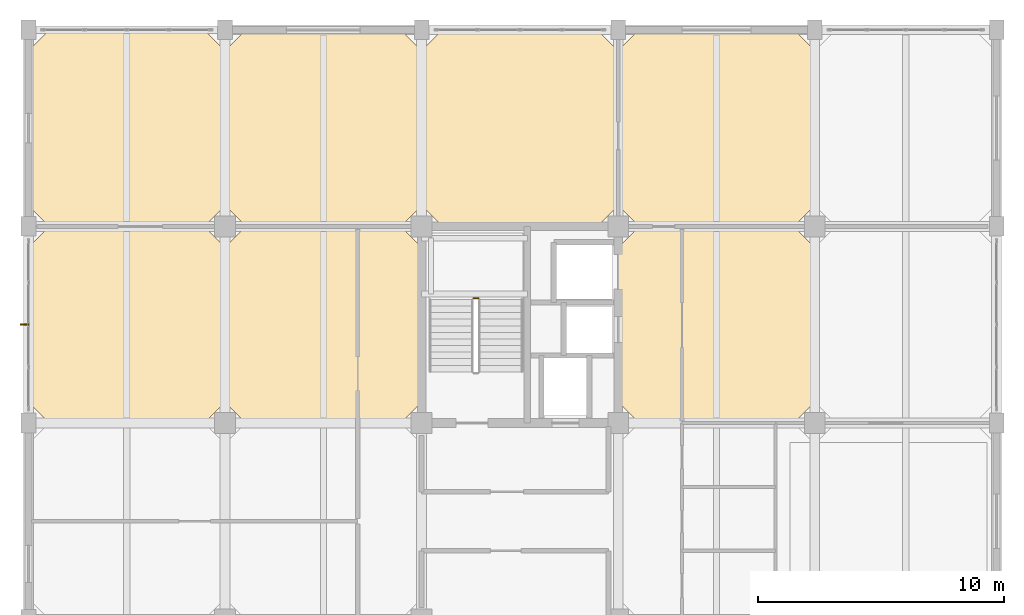
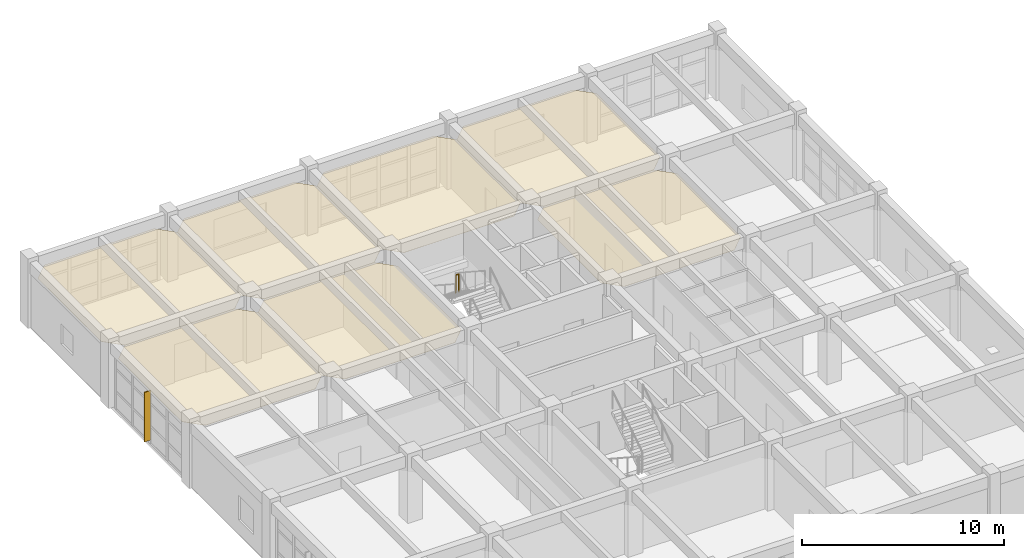
# One storey, part 29 of 30: 7 coverings, 1 railing, 1 shading device.
"""IFC4 building model written with IfcOpenShell, lengths in metres."""

import ifcopenshell
import ifcopenshell.guid

model = None  # the IFC model being written
_history = None  # IfcOwnerHistory: only IFC2X3 demands one
_inside = {}  # id of a spatial element -> (the spatial element, [elements in it])
_under = {}  # id of a project, library or spatial element -> (it, [spatial elements below it])
_declared = {}  # id of a project -> (the project, [libraries it declares])
_typed = {}  # id of a type object -> (the type object, [elements of that type])
_made_of = {}  # id of a material, layer set ... -> (it, [elements and type objects made of it])


def new_model(schema):
    """Start an empty IFC model of exactly this schema.

    Asked for "IFC4X3", IfcOpenShell would pick the latest addendum, in which some entities
    have other attributes; the version numbers below select the first issue.
    IFC2X3 requires an IfcOwnerHistory on every rooted entity: one is made here for all.
    """
    global model, _history
    if schema == "IFC4X3":
        model = ifcopenshell.file(schema_version=(4, 3, 0, 0))
    else:
        model = ifcopenshell.file(schema=schema)
    _inside.clear()
    _under.clear()
    _declared.clear()
    _typed.clear()
    _made_of.clear()
    _history = None
    if model.schema == "IFC2X3":
        org = make("IfcOrganization", Name="unknown")
        user = make(
            "IfcPersonAndOrganization",
            ThePerson=make("IfcPerson", FamilyName="unknown"),
            TheOrganization=org,
        )
        app = make(
            "IfcApplication",
            ApplicationDeveloper=org,
            Version="unknown",
            ApplicationFullName="unknown",
            ApplicationIdentifier="unknown",
        )
        _history = make(
            "IfcOwnerHistory",
            OwningUser=user,
            OwningApplication=app,
            ChangeAction="ADDED",
            CreationDate=0,
        )
    return model


def make(cls, **values):
    """One entity of the class cls with the attributes given. An attribute that is None is left unset."""
    return model.create_entity(
        cls, **{name: value for name, value in values.items() if value is not None}
    )


def rooted(cls, **values):
    """An entity with a GlobalId (a new one), such as an element, a storey or a relation."""
    return make(cls, GlobalId=ifcopenshell.guid.new(), OwnerHistory=_history, **values)


def si_unit(unit_type, name, prefix=None):
    """IfcSIUnit, for example si_unit("LENGTHUNIT", "METRE", prefix="MILLI")."""
    return make("IfcSIUnit", UnitType=unit_type, Prefix=prefix, Name=name)


def assignment(units):
    """IfcUnitAssignment: the units of a project."""
    return None if units is None else make("IfcUnitAssignment", Units=units)


def point(xyz):
    """IfcCartesianPoint."""
    return None if xyz is None else make("IfcCartesianPoint", Coordinates=xyz)


def direction(xyz):
    """IfcDirection."""
    return None if xyz is None else make("IfcDirection", DirectionRatios=xyz)


def frame(location, z_axis=None, x_axis=None):
    """IfcAxis2Placement3D, a coordinate frame: its origin and axes. An axis left out is left unset."""
    return make(
        "IfcAxis2Placement3D",
        Location=point(location),
        Axis=direction(z_axis),
        RefDirection=direction(x_axis),
    )


def frame_2d(location, x_axis=None):
    """IfcAxis2Placement2D, a coordinate frame in the plane: its origin and x axis."""
    return make(
        "IfcAxis2Placement2D", Location=point(location), RefDirection=direction(x_axis)
    )


def origin():
    """The frame at (0, 0, 0) with its axes left unset."""
    return frame((0.0, 0.0, 0.0))


def origin_2d():
    """The frame at (0, 0) in the plane with its x axis left unset."""
    return frame_2d((0.0, 0.0))


def place(relative_to, where):
    """IfcLocalPlacement: puts the frame where relative to a parent placement (None: the world)."""
    return make(
        "IfcLocalPlacement", PlacementRelTo=relative_to, RelativePlacement=where
    )


def context(
    kind, dimensions, precision=None, world=None, true_north=None, identifier=None
):
    """IfcGeometricRepresentationContext, for example the 3D "Model" context."""
    return make(
        "IfcGeometricRepresentationContext",
        ContextIdentifier=identifier,
        ContextType=kind,
        CoordinateSpaceDimension=dimensions,
        Precision=precision,
        WorldCoordinateSystem=world,
        TrueNorth=true_north,
    )


def subcontext(parent, identifier, kind, view, scale=None):
    """IfcGeometricRepresentationSubContext, for example "Body" below "Model"."""
    return make(
        "IfcGeometricRepresentationSubContext",
        ContextIdentifier=identifier,
        ContextType=kind,
        ParentContext=parent,
        TargetScale=scale,
        TargetView=view,
    )


def project(units=None, contexts=None):
    """IfcProject with its units and contexts."""
    return rooted(
        "IfcProject",
        Name="project",
        RepresentationContexts=contexts,
        UnitsInContext=assignment(units),
    )


def spatial(cls, under=None, at=None, **own):
    """A site, building, storey or space (cls), placed at a placement, below another one or the project."""
    s = rooted(cls, ObjectPlacement=at, **own)
    if under is not None:
        _under.setdefault(under.id(), (under, []))[1].append(s)
    return s


def polyline(points):
    """IfcPolyline through the points."""
    return make("IfcPolyline", Points=[point(p) for p in points])


def profile(cls, at=None, kind="AREA", **sizes):
    """A parametric profile (cls). Its sizes go by their IFC names, for example OverallWidth=200.0."""
    return make(cls, ProfileType=kind, Position=at, **sizes)


def rectangle(**sizes):
    """IfcRectangleProfileDef."""
    return profile("IfcRectangleProfileDef", **sizes)


def circle(**sizes):
    """IfcCircleProfileDef."""
    return profile("IfcCircleProfileDef", **sizes)


def outline(outer, holes=None, kind="AREA"):
    """IfcArbitraryClosedProfileDef: a profile drawn as a closed curve; with holes, ...WithVoids."""
    if holes is None:
        return make("IfcArbitraryClosedProfileDef", ProfileType=kind, OuterCurve=outer)
    return make(
        "IfcArbitraryProfileDefWithVoids",
        ProfileType=kind,
        OuterCurve=outer,
        InnerCurves=holes,
    )


def extrude(swept, where, along, depth):
    """IfcExtrudedAreaSolid: the profile swept, set in the frame where, extruded along a direction by depth."""
    return make(
        "IfcExtrudedAreaSolid",
        SweptArea=swept,
        Position=where,
        ExtrudedDirection=direction(along),
        Depth=depth,
    )


def shape(context_of_items, identifier, shape_type, items):
    """IfcShapeRepresentation: the items that make up one representation, for example the "Body"."""
    return make(
        "IfcShapeRepresentation",
        ContextOfItems=context_of_items,
        RepresentationIdentifier=identifier,
        RepresentationType=shape_type,
        Items=items,
    )


def material(Name=None, Category=None):
    """IfcMaterial."""
    return make("IfcMaterial", Name=Name, Category=Category)


def layer(
    of_material, thickness, ventilated=None, Name=None, Category=None, Priority=None
):
    """IfcMaterialLayer: one layer of a wall or slab, of a material (None: an air gap)."""
    return make(
        "IfcMaterialLayer",
        Material=of_material,
        LayerThickness=thickness,
        IsVentilated=ventilated,
        Name=Name,
        Category=Category,
        Priority=Priority,
    )


def layer_set(layers, Name=None):
    """IfcMaterialLayerSet."""
    return make("IfcMaterialLayerSet", MaterialLayers=layers, LayerSetName=Name)


def made_of(thing, what):
    """Note that an element or type object is made of a material, layer set ...; save() writes the relation."""
    if what is not None:
        _made_of.setdefault(what.id(), (what, []))[1].append(thing)
    return thing


def type_object(cls, material=None, **own):
    """A type object (cls), such as IfcWallType, which elements share."""
    return made_of(rooted(cls, **own), material)


def element(
    cls,
    number,
    at=None,
    inside=None,
    cuts=None,
    type_object=None,
    material=None,
    context=None,
    identifier="Body",
    shape_type=None,
    held_by="IfcProductDefinitionShape",
    body=None,
    shapes=None,
    **own,
):
    """One element of the class cls, such as IfcWall. Its Tag is "e" and its number.

    at: its placement. inside: the storey or other place that contains it. cuts: it is an
    opening in that element (IfcRelVoidsElement). A single representation is given by context,
    identifier, shape_type and body (its items); several are given by shapes. held_by: the class
    of the entity that holds the representations. save() writes the other relations.
    """
    e = rooted(cls, Tag="e%d" % number, ObjectPlacement=at, **own)
    if body is not None:
        shapes = [shape(context, identifier, shape_type, body)]
    if shapes is not None:
        e.Representation = make(held_by, Representations=shapes)
    if inside is not None:
        _inside.setdefault(inside.id(), (inside, []))[1].append(e)
    if cuts is not None:
        rooted(
            "IfcRelVoidsElement", RelatingBuildingElement=cuts, RelatedOpeningElement=e
        )
    if type_object is not None:
        _typed.setdefault(type_object.id(), (type_object, []))[1].append(e)
    return made_of(e, material)


def aggregate(whole, parts):
    """IfcRelAggregates: a whole, such as a stair, and the parts it consists of."""
    return rooted("IfcRelAggregates", RelatingObject=whole, RelatedObjects=parts)


def save(model, path):
    """Write the relations noted so far, then the file.

    IfcRelAggregates (storeys below a building ...), IfcRelContainedInSpatialStructure (elements
    in a storey), IfcRelDefinesByType, IfcRelAssociatesMaterial and IfcRelDeclares: one each for
    every whole, place, type object, material and project.
    """
    for whole, parts in _under.values():
        aggregate(whole, parts)
    for where, things in _inside.values():
        rooted(
            "IfcRelContainedInSpatialStructure",
            RelatedElements=things,
            RelatingStructure=where,
        )
    for kind, things in _typed.values():
        rooted("IfcRelDefinesByType", RelatedObjects=things, RelatingType=kind)
    for what, things in _made_of.values():
        rooted("IfcRelAssociatesMaterial", RelatedObjects=things, RelatingMaterial=what)
    for by, libraries in _declared.values():
        rooted("IfcRelDeclares", RelatingContext=by, RelatedDefinitions=libraries)
    model.write(path)


model = new_model("IFC4")

# Units and contexts
model_context = context("Model", 3, precision=1e-05, world=origin(), true_north=direction((0.0, 1.0)))
body_context = subcontext(model_context, "Body", "Model", "MODEL_VIEW")
ifc_project = project(units=[si_unit("LENGTHUNIT", "METRE"), si_unit("AREAUNIT", "SQUARE_METRE"), si_unit("VOLUMEUNIT", "CUBIC_METRE"), si_unit("PLANEANGLEUNIT", "RADIAN"), si_unit("MASSUNIT", "GRAM", prefix="KILO")], contexts=[model_context])

# Site, building, storey
site_placement = place(None, origin())
site = spatial("IfcSite", under=ifc_project, at=site_placement, CompositionType="ELEMENT")
building_placement = place(site_placement, origin())
building = spatial("IfcBuilding", under=site, at=building_placement, Name="Canggui Botanical Conservatory", CompositionType="ELEMENT")
storey_placement = place(building_placement, frame((0.0, 0.0, 27.60009765625)))
storey = spatial("IfcBuildingStorey", under=building, at=storey_placement, Name="L07", CompositionType="ELEMENT", Elevation=27.60009765625)

# Coverings
ifc_material_1 = material(Name="Mineral Fibre Acoustic Board")
ifc_layer_1 = layer(ifc_material_1, 0.014892578125, Name="Mineral Fibre Acoustic Board")
ifc_layer_set_1 = layer_set([ifc_layer_1], Name="Mineral Fibre Acoustic Board")
covering_type_1 = type_object("IfcCoveringType", Name="COV-CEIL-15", PredefinedType="CEILING", material=ifc_layer_set_1)
covering_1_placement = place(storey_placement, frame((0.0, 0.0, 3.19482421875)))
element("IfcCovering", 1, at=covering_1_placement, inside=storey, type_object=covering_type_1, Name="Suspended Acoustic Ceiling L07-138-66", PredefinedType="CEILING", context=body_context, shape_type="SweptSolid", body=[
    extrude(outline(polyline([(138.85009765625, 66.0), (145.14990234375, 66.0), (146.0, 66.85009765625), (146.0, 73.14990234375), (145.14990234375, 74.0), (138.85009765625, 74.0), (138.0, 73.14990234375), (138.0, 66.85009765625), (138.85009765625, 66.0)])), origin(), (0.0, 0.0, 1.0), 0.01513671875),
])
covering_2_placement = place(storey_placement, frame((0.0, 0.0, 3.19482421875)))
element("IfcCovering", 2, at=covering_2_placement, inside=storey, type_object=covering_type_1, Name="Suspended Acoustic Ceiling L07-146-58", PredefinedType="CEILING", context=body_context, shape_type="SweptSolid", body=[
    extrude(outline(polyline([(146.85009765625, 58.0), (153.14990234375, 58.0), (154.0, 58.85009765625), (154.0, 65.14990234375), (153.14990234375, 66.0), (146.85009765625, 66.0), (146.0, 65.14990234375), (146.0, 58.85009765625), (146.85009765625, 58.0)])), origin(), (0.0, 0.0, 1.0), 0.01513671875),
])
covering_3_placement = place(storey_placement, frame((0.0, 0.0, 3.19482421875)))
element("IfcCovering", 3, at=covering_3_placement, inside=storey, type_object=covering_type_1, Name="Suspended Acoustic Ceiling L07-154-66", PredefinedType="CEILING", context=body_context, shape_type="SweptSolid", body=[
    extrude(outline(polyline([(154.85009765625, 66.0), (161.14990234375, 66.0), (162.0, 66.85009765625), (162.0, 73.14990234375), (161.14990234375, 74.0), (154.85009765625, 74.0), (154.0, 73.14990234375), (154.0, 66.85009765625), (154.85009765625, 66.0)])), origin(), (0.0, 0.0, 1.0), 0.01513671875),
])
covering_4_placement = place(storey_placement, frame((0.0, 0.0, 3.19482421875)))
element("IfcCovering", 4, at=covering_4_placement, inside=storey, type_object=covering_type_1, Name="Suspended Acoustic Ceiling L07-162-58", PredefinedType="CEILING", context=body_context, shape_type="SweptSolid", body=[
    extrude(outline(polyline([(162.85009765625, 58.0), (169.14990234375, 58.0), (170.0, 58.85009765625), (170.0, 65.14990234375), (169.14990234375, 66.0), (162.85009765625, 66.0), (162.0, 65.14990234375), (162.0, 58.85009765625), (162.85009765625, 58.0)])), origin(), (0.0, 0.0, 1.0), 0.01513671875),
])
ifc_material_2 = material(Name="Perforated Gypsum Acoustic Panel")
ifc_layer_2 = layer(ifc_material_2, 0.02001953125, Name="Perforated Gypsum Acoustic Panel")
ifc_layer_set_2 = layer_set([ifc_layer_2], Name="Perforated Gypsum Acoustic Panel")
covering_type_2 = type_object("IfcCoveringType", Name="COV-CEIL-20", PredefinedType="CEILING", material=ifc_layer_set_2)
covering_5_placement = place(storey_placement, frame((0.0, 0.0, 3.18994140625)))
element("IfcCovering", 5, at=covering_5_placement, inside=storey, type_object=covering_type_2, Name="Suspended Acoustic Ceiling L07-138-58", PredefinedType="CEILING", context=body_context, shape_type="SweptSolid", body=[
    extrude(outline(polyline([(138.85009765625, 58.0), (145.14990234375, 58.0), (146.0, 58.85009765625), (146.0, 65.14990234375), (145.14990234375, 66.0), (138.85009765625, 66.0), (138.0, 65.14990234375), (138.0, 58.85009765625), (138.85009765625, 58.0)])), origin(), (0.0, 0.0, 1.0), 0.02001953125),
])
covering_6_placement = place(storey_placement, frame((0.0, 0.0, 3.18994140625)))
element("IfcCovering", 6, at=covering_6_placement, inside=storey, type_object=covering_type_2, Name="Suspended Acoustic Ceiling L07-146-66", PredefinedType="CEILING", context=body_context, shape_type="SweptSolid", body=[
    extrude(outline(polyline([(146.85009765625, 66.0), (153.14990234375, 66.0), (154.0, 66.85009765625), (154.0, 73.14990234375), (153.14990234375, 74.0), (146.85009765625, 74.0), (146.0, 73.14990234375), (146.0, 66.85009765625), (146.85009765625, 66.0)])), origin(), (0.0, 0.0, 1.0), 0.02001953125),
])
covering_7_placement = place(storey_placement, frame((0.0, 0.0, 3.18994140625)))
element("IfcCovering", 7, at=covering_7_placement, inside=storey, type_object=covering_type_2, Name="Suspended Acoustic Ceiling L07-162-66", PredefinedType="CEILING", context=body_context, shape_type="SweptSolid", body=[
    extrude(outline(polyline([(162.85009765625, 66.0), (169.14990234375, 66.0), (170.0, 66.85009765625), (170.0, 73.14990234375), (169.14990234375, 74.0), (162.85009765625, 74.0), (162.0, 73.14990234375), (162.0, 66.85009765625), (162.85009765625, 66.0)])), origin(), (0.0, 0.0, 1.0), 0.02001953125),
])

# Railing
ifc_material_3 = material(Name="Stainless Steel 304", Category="steel")
railing_type = type_object("IfcRailingType", Name="RAIL-GUARD-1100", PredefinedType="BALUSTRADE", material=ifc_material_3)
railing_placement = place(storey_placement, frame((156.300048828125, 63.077880859375, 2.099853515625)))
element("IfcRailing", 8, at=railing_placement, inside=storey, type_object=railing_type, Name="L07 ST-T2 stair guard 2", PredefinedType="BALUSTRADE", context=body_context, shape_type="SweptSolid", body=[
    extrude(circle(Radius=0.02392578125, at=origin_2d()), frame((0.0, 0.0, 1.076171875), z_axis=(-1.0, 0.0, 0.0), x_axis=(0.0, -1.0, 0.0)), (0.0, 0.0, 1.0), 0.179931640625),
    extrude(circle(Radius=0.02099609375, at=origin_2d()), origin(), (0.0, 0.0, 1.0), 1.052001953125),
    extrude(circle(Radius=0.02099609375, at=origin_2d()), frame((-0.179931640625, 0.0, 0.0)), (0.0, 0.0, 1.0), 1.052001953125),
])

# Shading device
ifc_material_4 = material(Name="Anodised Aluminium", Category="aluminium")
shading_device_type = type_object("IfcShadingDeviceType", Name="SHD-FIN02", PredefinedType="AWNING", material=ifc_material_4)
shading_device_placement = place(storey_placement, frame((137.8349609375, 62.0, 0.199951171875), z_axis=(0.0, 0.0, 1.0), x_axis=(0.0, 1.0, 0.0)))
element("IfcShadingDevice", 9, at=shading_device_placement, inside=storey, type_object=shading_device_type, Name="Solar Shading Fin CW-TWR-L07-09", PredefinedType="AWNING", context=body_context, shape_type="SweptSolid", body=[
    extrude(rectangle(XDim=0.06005859375, YDim=0.360107421875, at=origin_2d()), origin(), (0.0, 0.0, 1.0), 3.0),
])

save(model, "model.ifc")
